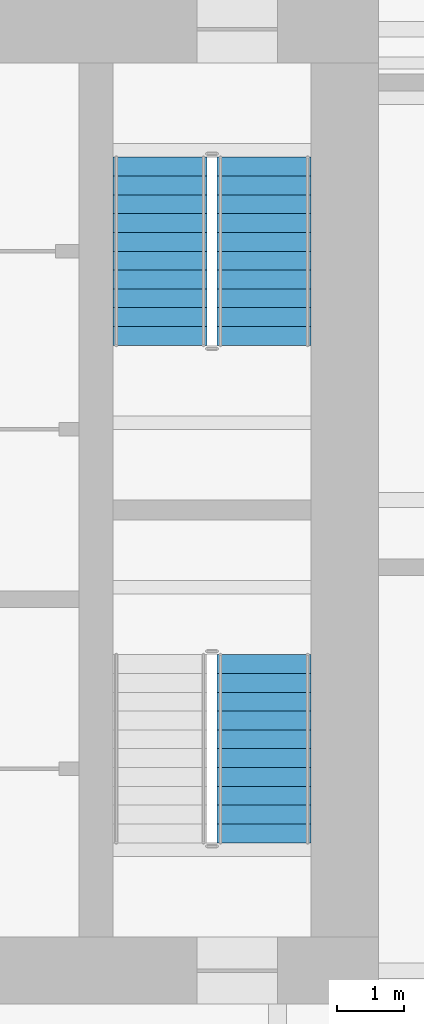
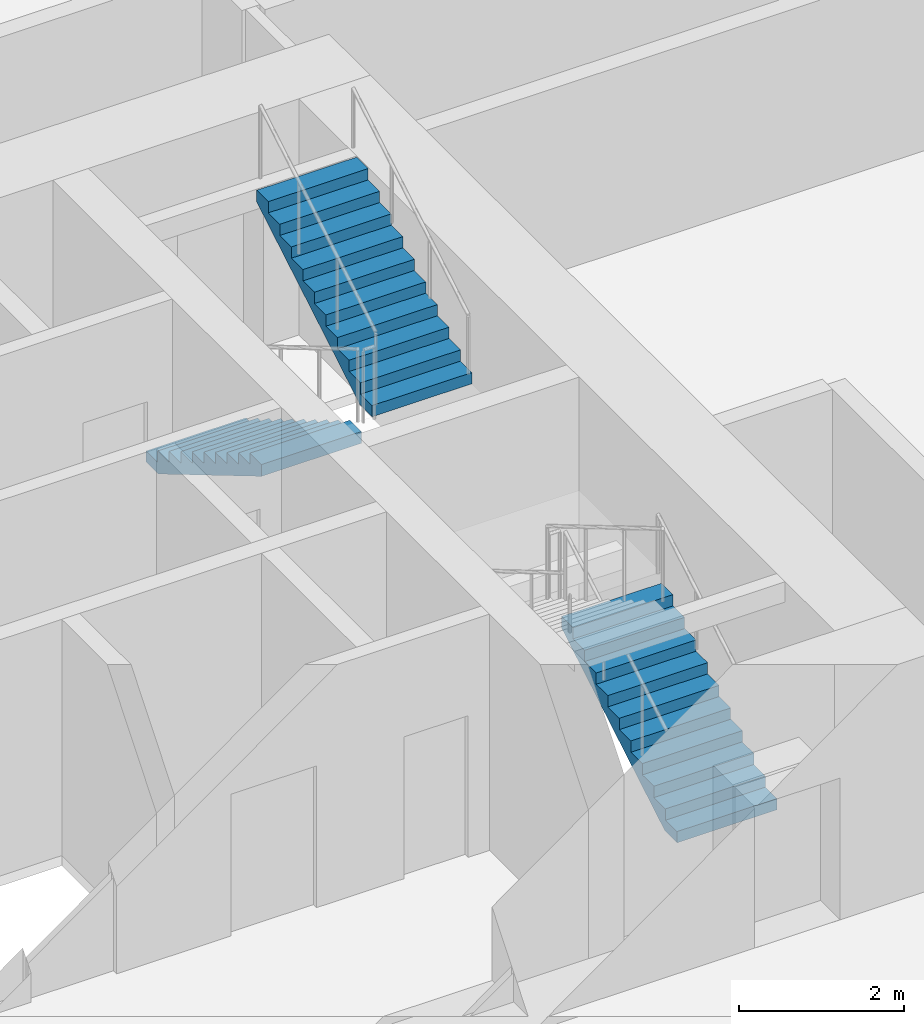
# One storey, part 17 of 20: 3 stair flights, 2 elements without a shape of their own.
"""IFC4 building model written with IfcOpenShell, lengths in metres."""

import ifcopenshell
import ifcopenshell.guid

model = None  # the IFC model being written
_history = None  # IfcOwnerHistory: only IFC2X3 demands one
_inside = {}  # id of a spatial element -> (the spatial element, [elements in it])
_under = {}  # id of a project, library or spatial element -> (it, [spatial elements below it])
_declared = {}  # id of a project -> (the project, [libraries it declares])
_typed = {}  # id of a type object -> (the type object, [elements of that type])
_made_of = {}  # id of a material, layer set ... -> (it, [elements and type objects made of it])


def new_model(schema):
    """Start an empty IFC model of exactly this schema.

    Asked for "IFC4X3", IfcOpenShell would pick the latest addendum, in which some entities
    have other attributes; the version numbers below select the first issue.
    IFC2X3 requires an IfcOwnerHistory on every rooted entity: one is made here for all.
    """
    global model, _history
    if schema == "IFC4X3":
        model = ifcopenshell.file(schema_version=(4, 3, 0, 0))
    else:
        model = ifcopenshell.file(schema=schema)
    _inside.clear()
    _under.clear()
    _declared.clear()
    _typed.clear()
    _made_of.clear()
    _history = None
    if model.schema == "IFC2X3":
        org = make("IfcOrganization", Name="unknown")
        user = make(
            "IfcPersonAndOrganization",
            ThePerson=make("IfcPerson", FamilyName="unknown"),
            TheOrganization=org,
        )
        app = make(
            "IfcApplication",
            ApplicationDeveloper=org,
            Version="unknown",
            ApplicationFullName="unknown",
            ApplicationIdentifier="unknown",
        )
        _history = make(
            "IfcOwnerHistory",
            OwningUser=user,
            OwningApplication=app,
            ChangeAction="ADDED",
            CreationDate=0,
        )
    return model


def make(cls, **values):
    """One entity of the class cls with the attributes given. An attribute that is None is left unset."""
    return model.create_entity(
        cls, **{name: value for name, value in values.items() if value is not None}
    )


def rooted(cls, **values):
    """An entity with a GlobalId (a new one), such as an element, a storey or a relation."""
    return make(cls, GlobalId=ifcopenshell.guid.new(), OwnerHistory=_history, **values)


def si_unit(unit_type, name, prefix=None):
    """IfcSIUnit, for example si_unit("LENGTHUNIT", "METRE", prefix="MILLI")."""
    return make("IfcSIUnit", UnitType=unit_type, Prefix=prefix, Name=name)


def assignment(units):
    """IfcUnitAssignment: the units of a project."""
    return None if units is None else make("IfcUnitAssignment", Units=units)


def point(xyz):
    """IfcCartesianPoint."""
    return None if xyz is None else make("IfcCartesianPoint", Coordinates=xyz)


def direction(xyz):
    """IfcDirection."""
    return None if xyz is None else make("IfcDirection", DirectionRatios=xyz)


def frame(location, z_axis=None, x_axis=None):
    """IfcAxis2Placement3D, a coordinate frame: its origin and axes. An axis left out is left unset."""
    return make(
        "IfcAxis2Placement3D",
        Location=point(location),
        Axis=direction(z_axis),
        RefDirection=direction(x_axis),
    )


def origin():
    """The frame at (0, 0, 0) with its axes left unset."""
    return frame((0.0, 0.0, 0.0))


def place(relative_to, where):
    """IfcLocalPlacement: puts the frame where relative to a parent placement (None: the world)."""
    return make(
        "IfcLocalPlacement", PlacementRelTo=relative_to, RelativePlacement=where
    )


def context(
    kind, dimensions, precision=None, world=None, true_north=None, identifier=None
):
    """IfcGeometricRepresentationContext, for example the 3D "Model" context."""
    return make(
        "IfcGeometricRepresentationContext",
        ContextIdentifier=identifier,
        ContextType=kind,
        CoordinateSpaceDimension=dimensions,
        Precision=precision,
        WorldCoordinateSystem=world,
        TrueNorth=true_north,
    )


def subcontext(parent, identifier, kind, view, scale=None):
    """IfcGeometricRepresentationSubContext, for example "Body" below "Model"."""
    return make(
        "IfcGeometricRepresentationSubContext",
        ContextIdentifier=identifier,
        ContextType=kind,
        ParentContext=parent,
        TargetScale=scale,
        TargetView=view,
    )


def project(units=None, contexts=None):
    """IfcProject with its units and contexts."""
    return rooted(
        "IfcProject",
        Name="project",
        RepresentationContexts=contexts,
        UnitsInContext=assignment(units),
    )


def spatial(cls, under=None, at=None, **own):
    """A site, building, storey or space (cls), placed at a placement, below another one or the project."""
    s = rooted(cls, ObjectPlacement=at, **own)
    if under is not None:
        _under.setdefault(under.id(), (under, []))[1].append(s)
    return s


def polyline(points):
    """IfcPolyline through the points."""
    return make("IfcPolyline", Points=[point(p) for p in points])


def outline(outer, holes=None, kind="AREA"):
    """IfcArbitraryClosedProfileDef: a profile drawn as a closed curve; with holes, ...WithVoids."""
    if holes is None:
        return make("IfcArbitraryClosedProfileDef", ProfileType=kind, OuterCurve=outer)
    return make(
        "IfcArbitraryProfileDefWithVoids",
        ProfileType=kind,
        OuterCurve=outer,
        InnerCurves=holes,
    )


def extrude(swept, where, along, depth):
    """IfcExtrudedAreaSolid: the profile swept, set in the frame where, extruded along a direction by depth."""
    return make(
        "IfcExtrudedAreaSolid",
        SweptArea=swept,
        Position=where,
        ExtrudedDirection=direction(along),
        Depth=depth,
    )


def shape(context_of_items, identifier, shape_type, items):
    """IfcShapeRepresentation: the items that make up one representation, for example the "Body"."""
    return make(
        "IfcShapeRepresentation",
        ContextOfItems=context_of_items,
        RepresentationIdentifier=identifier,
        RepresentationType=shape_type,
        Items=items,
    )


def material(Name=None, Category=None):
    """IfcMaterial."""
    return make("IfcMaterial", Name=Name, Category=Category)


def made_of(thing, what):
    """Note that an element or type object is made of a material, layer set ...; save() writes the relation."""
    if what is not None:
        _made_of.setdefault(what.id(), (what, []))[1].append(thing)
    return thing


def type_object(cls, material=None, **own):
    """A type object (cls), such as IfcWallType, which elements share."""
    return made_of(rooted(cls, **own), material)


def element(
    cls,
    number,
    at=None,
    inside=None,
    cuts=None,
    type_object=None,
    material=None,
    context=None,
    identifier="Body",
    shape_type=None,
    held_by="IfcProductDefinitionShape",
    body=None,
    shapes=None,
    **own,
):
    """One element of the class cls, such as IfcWall. Its Tag is "e" and its number.

    at: its placement. inside: the storey or other place that contains it. cuts: it is an
    opening in that element (IfcRelVoidsElement). A single representation is given by context,
    identifier, shape_type and body (its items); several are given by shapes. held_by: the class
    of the entity that holds the representations. save() writes the other relations.
    """
    e = rooted(cls, Tag="e%d" % number, ObjectPlacement=at, **own)
    if body is not None:
        shapes = [shape(context, identifier, shape_type, body)]
    if shapes is not None:
        e.Representation = make(held_by, Representations=shapes)
    if inside is not None:
        _inside.setdefault(inside.id(), (inside, []))[1].append(e)
    if cuts is not None:
        rooted(
            "IfcRelVoidsElement", RelatingBuildingElement=cuts, RelatedOpeningElement=e
        )
    if type_object is not None:
        _typed.setdefault(type_object.id(), (type_object, []))[1].append(e)
    return made_of(e, material)


def aggregate(whole, parts):
    """IfcRelAggregates: a whole, such as a stair, and the parts it consists of."""
    return rooted("IfcRelAggregates", RelatingObject=whole, RelatedObjects=parts)


def save(model, path):
    """Write the relations noted so far, then the file.

    IfcRelAggregates (storeys below a building ...), IfcRelContainedInSpatialStructure (elements
    in a storey), IfcRelDefinesByType, IfcRelAssociatesMaterial and IfcRelDeclares: one each for
    every whole, place, type object, material and project.
    """
    for whole, parts in _under.values():
        aggregate(whole, parts)
    for where, things in _inside.values():
        rooted(
            "IfcRelContainedInSpatialStructure",
            RelatedElements=things,
            RelatingStructure=where,
        )
    for kind, things in _typed.values():
        rooted("IfcRelDefinesByType", RelatedObjects=things, RelatingType=kind)
    for what, things in _made_of.values():
        rooted("IfcRelAssociatesMaterial", RelatedObjects=things, RelatingMaterial=what)
    for by, libraries in _declared.values():
        rooted("IfcRelDeclares", RelatingContext=by, RelatedDefinitions=libraries)
    model.write(path)


model = new_model("IFC4")

# Units and contexts
model_context = context("Model", 3, precision=1e-05, world=origin(), true_north=direction((0.0, 1.0)))
body_context = subcontext(model_context, "Body", "Model", "MODEL_VIEW")
ifc_project = project(units=[si_unit("LENGTHUNIT", "METRE"), si_unit("AREAUNIT", "SQUARE_METRE"), si_unit("VOLUMEUNIT", "CUBIC_METRE"), si_unit("PLANEANGLEUNIT", "RADIAN"), si_unit("MASSUNIT", "GRAM", prefix="KILO")], contexts=[model_context])

# Site, building, storey
site_placement = place(None, origin())
site = spatial("IfcSite", under=ifc_project, at=site_placement, CompositionType="ELEMENT")
building_placement = place(site_placement, origin())
building = spatial("IfcBuilding", under=site, at=building_placement, Name="Isthmus Gate Tower", CompositionType="ELEMENT")
storey_placement = place(building_placement, frame((0.0, 0.0, 65.199951171875)))
storey = spatial("IfcBuildingStorey", under=building, at=storey_placement, Name="L14", CompositionType="ELEMENT", Elevation=65.199951171875)

# Stair, stair flights
ifc_material_1 = material(Name="Concrete f'c 40 MPa", Category="concrete")
stair_type = type_object("IfcStairType", Name="CORE STAIR 22 RISERS", PredefinedType="HALF_TURN_STAIR", material=ifc_material_1)
stair_1_placement = place(storey_placement, origin())
stair_1 = element("IfcStair", 1, at=stair_1_placement, inside=storey, type_object=stair_type, Name="L14 Exit Stair 2", PredefinedType="HALF_TURN_STAIR")
ifc_material_2 = material(Name="Concrete f'c 40 MPa", Category="concrete")
stair_flight_type = type_object("IfcStairFlightType", Name="STAIR FLIGHT RC 1400", PredefinedType="STRAIGHT", material=ifc_material_2)
stair_flight_1_placement = place(storey_placement, frame((11.75, 12.60009765625, 0.0), z_axis=(0.0, 0.0, 1.0), x_axis=(0.0, -1.0, 0.0)))
stair_flight_1 = element("IfcStairFlight", 2, at=stair_flight_1_placement, type_object=stair_flight_type, Name="ST2 flight 1", NumberOfRisers=11, NumberOfTreads=10, PredefinedType="STRAIGHT", RiserHeight=0.165909091, TreadLength=0.28, context=body_context, shape_type="SweptSolid", body=[
    extrude(outline(polyline([(0.0, 0.0), (0.0, 0.166015625), (0.280029296875, 0.166015625), (0.280029296875, 0.331787109375), (0.56005859375, 0.331787109375), (0.56005859375, 0.497802734375), (0.840087890625, 0.497802734375), (0.840087890625, 0.66357421875), (1.1201171875, 0.66357421875), (1.1201171875, 0.82958984375), (1.39990234375, 0.82958984375), (1.39990234375, 0.995361328125), (1.679931640625, 0.995361328125), (1.679931640625, 1.161376953125), (1.9599609375, 1.161376953125), (1.9599609375, 1.327392578125), (2.239990234375, 1.327392578125), (2.239990234375, 1.4931640625), (2.52001953125, 1.4931640625), (2.52001953125, 1.6591796875), (2.800048828125, 1.6591796875), (2.800048828125, 1.824951171875), (2.800048828125, 1.48486328125), (0.2939453125, 0.0), (0.0, 0.0)])), frame((0.0, 0.699951171875, 0.0), z_axis=(0.0, -1.0, 0.0), x_axis=(1.0, 0.0, 0.0)), (0.0, 0.0, 1.0), 1.39990234375),
])
stair_flight_2_placement = place(storey_placement, frame((13.300048828125, 9.800048828125, 1.824951171875), z_axis=(0.0, 0.0, 1.0), x_axis=(0.0, 1.0, 0.0)))
stair_flight_2 = element("IfcStairFlight", 3, at=stair_flight_2_placement, type_object=stair_flight_type, Name="ST2 flight 2", NumberOfRisers=11, NumberOfTreads=10, PredefinedType="STRAIGHT", RiserHeight=0.165909091, TreadLength=0.28, context=body_context, shape_type="SweptSolid", body=[
    extrude(outline(polyline([(0.0, 0.0), (0.0, 0.166015625), (0.280029296875, 0.166015625), (0.280029296875, 0.331787109375), (0.56005859375, 0.331787109375), (0.56005859375, 0.497802734375), (0.840087890625, 0.497802734375), (0.840087890625, 0.66357421875), (1.1201171875, 0.66357421875), (1.1201171875, 0.82958984375), (1.39990234375, 0.82958984375), (1.39990234375, 0.995361328125), (1.679931640625, 0.995361328125), (1.679931640625, 1.161376953125), (1.9599609375, 1.161376953125), (1.9599609375, 1.327392578125), (2.239990234375, 1.327392578125), (2.239990234375, 1.4931640625), (2.52001953125, 1.4931640625), (2.52001953125, 1.6591796875), (2.800048828125, 1.6591796875), (2.800048828125, 1.824951171875), (2.800048828125, 1.48486328125), (0.2939453125, 0.0), (0.0, 0.0)])), frame((0.0, 0.699951171875, 0.0), z_axis=(0.0, -1.0, 0.0), x_axis=(1.0, 0.0, 0.0)), (0.0, 0.0, 1.0), 1.39990234375),
])
aggregate(stair_1, [stair_flight_1, stair_flight_2])

# Stair, stair flight
stair_2_placement = place(storey_placement, origin())
stair_2 = element("IfcStair", 4, at=stair_2_placement, inside=storey, type_object=stair_type, Name="L14 Exit Stair 8", PredefinedType="HALF_TURN_STAIR")
stair_flight_3_placement = place(storey_placement, frame((13.300048828125, 2.39990234375, 0.0), z_axis=(0.0, 0.0, 1.0), x_axis=(0.0, 1.0, 0.0)))
stair_flight_3 = element("IfcStairFlight", 5, at=stair_flight_3_placement, type_object=stair_flight_type, Name="ST8 flight 1", NumberOfRisers=11, NumberOfTreads=10, PredefinedType="STRAIGHT", RiserHeight=0.165909091, TreadLength=0.28, context=body_context, shape_type="SweptSolid", body=[
    extrude(outline(polyline([(0.0, 0.0), (0.0, 0.166015625), (0.280029296875, 0.166015625), (0.280029296875, 0.331787109375), (0.56005859375, 0.331787109375), (0.56005859375, 0.497802734375), (0.840087890625, 0.497802734375), (0.840087890625, 0.66357421875), (1.1201171875, 0.66357421875), (1.1201171875, 0.82958984375), (1.39990234375, 0.82958984375), (1.39990234375, 0.995361328125), (1.679931640625, 0.995361328125), (1.679931640625, 1.161376953125), (1.9599609375, 1.161376953125), (1.9599609375, 1.327392578125), (2.239990234375, 1.327392578125), (2.239990234375, 1.4931640625), (2.52001953125, 1.4931640625), (2.52001953125, 1.6591796875), (2.800048828125, 1.6591796875), (2.800048828125, 1.824951171875), (2.800048828125, 1.48486328125), (0.2939453125, 0.0), (0.0, 0.0)])), frame((0.0, 0.699951171875, 0.0), z_axis=(0.0, -1.0, 0.0), x_axis=(1.0, 0.0, 0.0)), (0.0, 0.0, 1.0), 1.39990234375),
])
aggregate(stair_2, [stair_flight_3])

save(model, "model.ifc")
